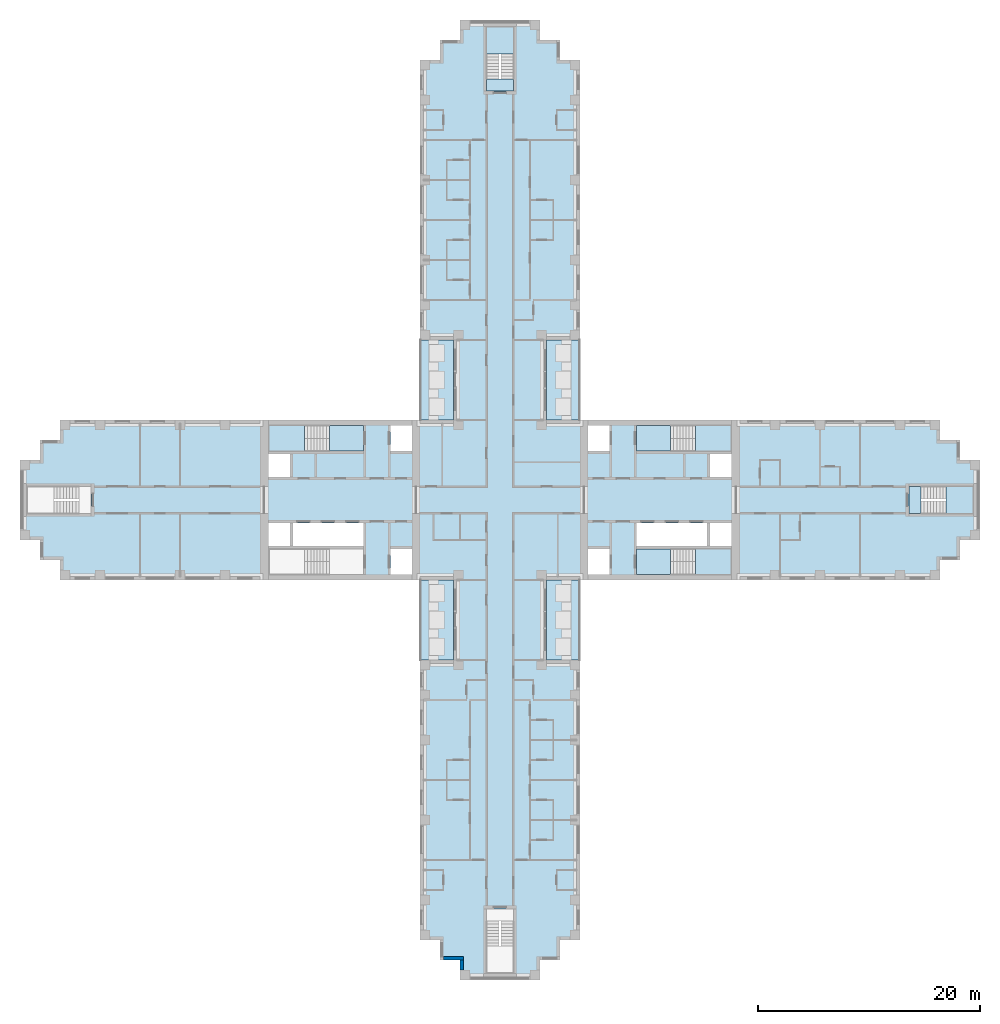
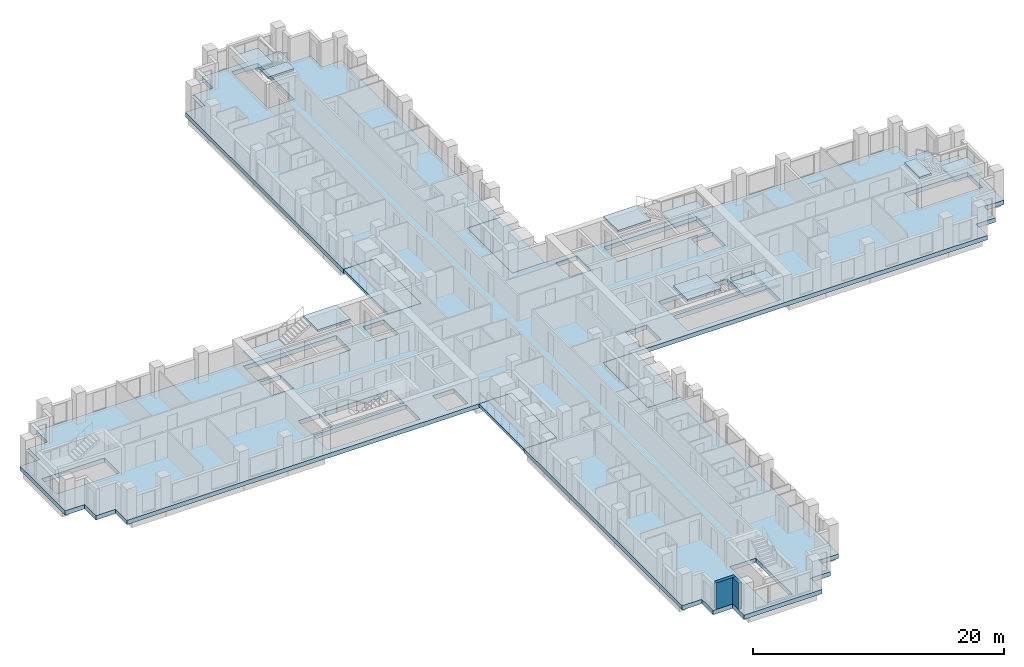
# One storey, part 2 of 15: 15 slabs, 2 walls, 5 elements without a shape of their own.
"""IFC4 building model written with IfcOpenShell, lengths in metres."""

from ifc_helpers import new_model, si_unit, direction, frame, frame_2d, origin, place, context, subcontext, project, spatial, polyline, rectangle, outline, extrude, material, layer, layer_set, type_object, element, aggregate, save


model = new_model("IFC4")

# Units and contexts
model_context = context("Model", 3, precision=1e-05, world=origin(), true_north=direction((0.0, 1.0)))
body_context = subcontext(model_context, "Body", "Model", "MODEL_VIEW")
ifc_project = project(units=[si_unit("LENGTHUNIT", "METRE"), si_unit("AREAUNIT", "SQUARE_METRE"), si_unit("VOLUMEUNIT", "CUBIC_METRE"), si_unit("PLANEANGLEUNIT", "RADIAN"), si_unit("MASSUNIT", "GRAM", prefix="KILO")], contexts=[model_context])

# Site, building, storey
site_placement = place(None, origin())
site = spatial("IfcSite", under=ifc_project, at=site_placement, CompositionType="ELEMENT")
building_placement = place(site_placement, origin())
building = spatial("IfcBuilding", under=site, at=building_placement, Name="Fustian Cross Tower", CompositionType="ELEMENT")
storey_placement = place(building_placement, frame((0.0, 0.0, 29.699951171875)))
storey = spatial("IfcBuildingStorey", under=building, at=storey_placement, Name="L08", CompositionType="ELEMENT", Elevation=29.699951171875)

# Slabs
ifc_material_1 = material(Name="Concrete C40/50", Category="concrete")
ifc_layer_1 = layer(ifc_material_1, 0.300048828125)
ifc_layer_set_1 = layer_set([ifc_layer_1], Name="Concrete C40/50")
slab_type_1 = type_object("IfcSlabType", Name="BS1 BALCONY SLAB 300", PredefinedType="FLOOR", material=ifc_layer_set_1)
slab_1_placement = place(storey_placement, frame((0.0, 0.0, -0.300048828125)))
element("IfcSlab", 1, at=slab_1_placement, inside=storey, type_object=slab_type_1, Name="Balcony slab", PredefinedType="FLOOR", context=body_context, shape_type="SweptSolid", body=[
    extrude(outline(polyline([(4.199951171875, 7.199951171875), (7.199951171875, 7.199951171875), (7.199951171875, 14.39990234375), (4.199951171875, 14.39990234375), (4.199951171875, 7.199951171875)])), origin(), (0.0, 0.0, 1.0), 0.300048828125),
])
slab_2_placement = place(storey_placement, frame((0.0, 0.0, -0.300048828125)))
element("IfcSlab", 2, at=slab_2_placement, inside=storey, type_object=slab_type_1, Name="Balcony slab", PredefinedType="FLOOR", context=body_context, shape_type="SweptSolid", body=[
    extrude(outline(polyline([(-7.199951171875, 7.199951171875), (-4.199951171875, 7.199951171875), (-4.199951171875, 14.39990234375), (-7.199951171875, 14.39990234375), (-7.199951171875, 7.199951171875)])), origin(), (0.0, 0.0, 1.0), 0.300048828125),
])
slab_3_placement = place(storey_placement, frame((0.0, 0.0, -0.300048828125)))
element("IfcSlab", 3, at=slab_3_placement, inside=storey, type_object=slab_type_1, Name="Balcony slab", PredefinedType="FLOOR", context=body_context, shape_type="SweptSolid", body=[
    extrude(outline(polyline([(4.199951171875, -14.39990234375), (7.199951171875, -14.39990234375), (7.199951171875, -7.199951171875), (4.199951171875, -7.199951171875), (4.199951171875, -14.39990234375)])), origin(), (0.0, 0.0, 1.0), 0.300048828125),
])
slab_4_placement = place(storey_placement, frame((0.0, 0.0, -0.300048828125)))
element("IfcSlab", 4, at=slab_4_placement, inside=storey, type_object=slab_type_1, Name="Balcony slab", PredefinedType="FLOOR", context=body_context, shape_type="SweptSolid", body=[
    extrude(outline(polyline([(-7.199951171875, -14.39990234375), (-4.199951171875, -14.39990234375), (-4.199951171875, -7.199951171875), (-7.199951171875, -7.199951171875), (-7.199951171875, -14.39990234375)])), origin(), (0.0, 0.0, 1.0), 0.300048828125),
])
ifc_material_2 = material(Name="Concrete C40/50", Category="concrete")
ifc_layer_2 = layer(ifc_material_2, 0.425048828125)
ifc_layer_set_2 = layer_set([ifc_layer_2], Name="Concrete C40/50")
slab_type_2 = type_object("IfcSlabType", Name="FLAT SLAB 425", PredefinedType="FLOOR", material=ifc_layer_set_2)
slab_5_placement = place(storey_placement, frame((0.0, 0.0, -0.425048828125)))
element("IfcSlab", 5, at=slab_5_placement, inside=storey, type_object=slab_type_2, Name="FLOOR SLAB L08-1", PredefinedType="FLOOR", context=body_context, shape_type="SweptSolid", body=[
    extrude(outline(polyline([(-4.199951171875, -7.199951171875), (-39.60009765625, -7.199951171875), (-39.60009765625, -5.39990234375), (-41.39990234375, -5.39990234375), (-41.39990234375, -3.60009765625), (-43.199951171875, -3.60009765625), (-43.199951171875, 3.60009765625), (-41.39990234375, 3.60009765625), (-41.39990234375, 5.39990234375), (-39.60009765625, 5.39990234375), (-39.60009765625, 7.199951171875), (-4.199951171875, 7.199951171875), (-4.199951171875, 14.39990234375), (-7.199951171875, 14.39990234375), (-7.199951171875, 39.60009765625), (-5.39990234375, 39.60009765625), (-5.39990234375, 41.39990234375), (-3.60009765625, 41.39990234375), (-3.60009765625, 43.199951171875), (3.60009765625, 43.199951171875), (3.60009765625, 41.39990234375), (5.39990234375, 41.39990234375), (5.39990234375, 39.60009765625), (7.199951171875, 39.60009765625), (7.199951171875, 14.39990234375), (4.199951171875, 14.39990234375), (4.199951171875, 7.199951171875), (39.60009765625, 7.199951171875), (39.60009765625, 5.39990234375), (41.39990234375, 5.39990234375), (41.39990234375, 3.60009765625), (43.199951171875, 3.60009765625), (43.199951171875, -3.60009765625), (41.39990234375, -3.60009765625), (41.39990234375, -5.39990234375), (39.60009765625, -5.39990234375), (39.60009765625, -7.199951171875), (4.199951171875, -7.199951171875), (4.199951171875, -14.39990234375), (7.199951171875, -14.39990234375), (7.199951171875, -39.60009765625), (5.39990234375, -39.60009765625), (5.39990234375, -41.39990234375), (3.60009765625, -41.39990234375), (3.60009765625, -43.199951171875), (-3.60009765625, -43.199951171875), (-3.60009765625, -41.39990234375), (-5.39990234375, -41.39990234375), (-5.39990234375, -39.60009765625), (-7.199951171875, -39.60009765625), (-7.199951171875, -14.39990234375), (-4.199951171875, -14.39990234375), (-4.199951171875, -7.199951171875)]), holes=[polyline([(18.89990234375, -2.050048828125), (18.89990234375, -4.14990234375), (20.85009765625, -4.14990234375), (20.85009765625, -2.050048828125), (18.89990234375, -2.050048828125)]), polyline([(20.85009765625, 4.14990234375), (18.89990234375, 4.14990234375), (18.89990234375, 2.050048828125), (20.85009765625, 2.050048828125), (20.85009765625, 4.14990234375)]), polyline([(9.85009765625, 4.39990234375), (9.85009765625, 6.699951171875), (7.89990234375, 6.699951171875), (7.89990234375, 4.39990234375), (9.85009765625, 4.39990234375)]), polyline([(7.89990234375, -6.699951171875), (9.85009765625, -6.699951171875), (9.85009765625, -4.39990234375), (7.89990234375, -4.39990234375), (7.89990234375, -6.699951171875)]), polyline([(-20.85009765625, -2.050048828125), (-20.85009765625, -4.14990234375), (-18.89990234375, -4.14990234375), (-18.89990234375, -2.050048828125), (-20.85009765625, -2.050048828125)]), polyline([(-18.89990234375, 4.14990234375), (-20.85009765625, 4.14990234375), (-20.85009765625, 2.050048828125), (-18.89990234375, 2.050048828125), (-18.89990234375, 4.14990234375)]), polyline([(-7.89990234375, 4.39990234375), (-7.89990234375, 6.699951171875), (-9.85009765625, 6.699951171875), (-9.85009765625, 4.39990234375), (-7.89990234375, 4.39990234375)]), polyline([(-9.85009765625, -6.699951171875), (-7.89990234375, -6.699951171875), (-7.89990234375, -4.39990234375), (-9.85009765625, -4.39990234375), (-9.85009765625, -6.699951171875)]), polyline([(12.300048828125, -2.050048828125), (12.300048828125, -4.14990234375), (18.64990234375, -4.14990234375), (18.64990234375, -2.050048828125), (12.300048828125, -2.050048828125)]), polyline([(-12.300048828125, -2.050048828125), (-18.64990234375, -2.050048828125), (-18.64990234375, -4.14990234375), (-12.300048828125, -4.14990234375), (-12.300048828125, -2.050048828125)]), polyline([(20.85009765625, 4.39990234375), (20.85009765625, 6.699951171875), (12.300048828125, 6.699951171875), (12.300048828125, 4.39990234375), (20.85009765625, 4.39990234375)]), polyline([(12.300048828125, -6.699951171875), (20.85009765625, -6.699951171875), (20.85009765625, -4.39990234375), (12.300048828125, -4.39990234375), (12.300048828125, -6.699951171875)]), polyline([(-20.85009765625, 6.699951171875), (-20.85009765625, 4.39990234375), (-12.300048828125, 4.39990234375), (-12.300048828125, 6.699951171875), (-20.85009765625, 6.699951171875)]), polyline([(-12.300048828125, -4.39990234375), (-20.85009765625, -4.39990234375), (-20.85009765625, -6.699951171875), (-12.300048828125, -6.699951171875), (-12.300048828125, -4.39990234375)]), polyline([(1.199951171875, 36.800048828125), (1.199951171875, 42.60009765625), (-1.199951171875, 42.60009765625), (-1.199951171875, 36.800048828125), (1.199951171875, 36.800048828125)]), polyline([(-1.199951171875, -42.60009765625), (1.199951171875, -42.60009765625), (1.199951171875, -36.800048828125), (-1.199951171875, -36.800048828125), (-1.199951171875, -42.60009765625)]), polyline([(36.800048828125, 1.199951171875), (36.800048828125, -1.199951171875), (42.60009765625, -1.199951171875), (42.60009765625, 1.199951171875), (36.800048828125, 1.199951171875)]), polyline([(-36.800048828125, 1.199951171875), (-42.60009765625, 1.199951171875), (-42.60009765625, -1.199951171875), (-36.800048828125, -1.199951171875), (-36.800048828125, 1.199951171875)])]), origin(), (0.0, 0.0, 1.0), 0.425048828125),
])

# Stair, slabs
ifc_material_3 = material(Name="Concrete C50/60", Category="concrete")
stair_type_1 = type_object("IfcStairType", Name="STAIR 1150 HALF TURN", PredefinedType="HALF_TURN_STAIR", material=ifc_material_3)
stair_1_placement = place(storey_placement, origin())
stair_1 = element("IfcStair", 6, at=stair_1_placement, inside=storey, type_object=stair_type_1, Name="Stair ST1", PredefinedType="HALF_TURN_STAIR")
ifc_material_4 = material(Name="Concrete C50/60", Category="concrete")
ifc_layer_3 = layer(ifc_material_4, 0.199951171875)
ifc_layer_set_3 = layer_set([ifc_layer_3], Name="Concrete C50/60")
slab_type_3 = type_object("IfcSlabType", Name="STAIR LANDING", PredefinedType="LANDING", material=ifc_layer_set_3)
slab_6_placement = place(storey_placement, frame((0.0, 0.0, 1.300048828125)))
slab_6 = element("IfcSlab", 7, at=slab_6_placement, type_object=slab_type_3, Name="ST1 landing 1", PredefinedType="LANDING", context=body_context, shape_type="SweptSolid", body=[
    extrude(outline(polyline([(17.590087890625, 4.39990234375), (20.85009765625, 4.39990234375), (20.85009765625, 6.699951171875), (17.590087890625, 6.699951171875), (17.590087890625, 4.39990234375)])), origin(), (0.0, 0.0, 1.0), 0.199951171875),
])
slab_7_placement = place(storey_placement, frame((0.0, 0.0, 2.800048828125)))
slab_7 = element("IfcSlab", 8, at=slab_7_placement, type_object=slab_type_3, Name="ST1 landing 2", PredefinedType="LANDING", context=body_context, shape_type="SweptSolid", body=[
    extrude(outline(polyline([(12.300048828125, 4.39990234375), (15.35009765625, 4.39990234375), (15.35009765625, 6.699951171875), (12.300048828125, 6.699951171875), (12.300048828125, 4.39990234375)])), origin(), (0.0, 0.0, 1.0), 0.199951171875),
])
aggregate(stair_1, [slab_6, slab_7])

stair_2_placement = place(storey_placement, origin())
stair_2 = element("IfcStair", 9, at=stair_2_placement, inside=storey, type_object=stair_type_1, Name="Stair ST2", PredefinedType="HALF_TURN_STAIR")
slab_8_placement = place(storey_placement, frame((0.0, 0.0, 1.300048828125)))
slab_8 = element("IfcSlab", 10, at=slab_8_placement, type_object=slab_type_3, Name="ST2 landing 1", PredefinedType="LANDING", context=body_context, shape_type="SweptSolid", body=[
    extrude(outline(polyline([(17.590087890625, -4.39990234375), (20.85009765625, -4.39990234375), (20.85009765625, -6.699951171875), (17.590087890625, -6.699951171875), (17.590087890625, -4.39990234375)])), origin(), (0.0, 0.0, 1.0), 0.199951171875),
])
slab_9_placement = place(storey_placement, frame((0.0, 0.0, 2.800048828125)))
slab_9 = element("IfcSlab", 11, at=slab_9_placement, type_object=slab_type_3, Name="ST2 landing 2", PredefinedType="LANDING", context=body_context, shape_type="SweptSolid", body=[
    extrude(outline(polyline([(12.300048828125, -4.39990234375), (15.35009765625, -4.39990234375), (15.35009765625, -6.699951171875), (12.300048828125, -6.699951171875), (12.300048828125, -4.39990234375)])), origin(), (0.0, 0.0, 1.0), 0.199951171875),
])
aggregate(stair_2, [slab_8, slab_9])

stair_3_placement = place(storey_placement, origin())
stair_3 = element("IfcStair", 12, at=stair_3_placement, inside=storey, type_object=stair_type_1, Name="Stair ST3", PredefinedType="HALF_TURN_STAIR")
slab_10_placement = place(storey_placement, frame((0.0, 0.0, 1.300048828125)))
slab_10 = element("IfcSlab", 13, at=slab_10_placement, type_object=slab_type_3, Name="ST3 landing 1", PredefinedType="LANDING", context=body_context, shape_type="SweptSolid", body=[
    extrude(outline(polyline([(-17.590087890625, 4.39990234375), (-20.85009765625, 4.39990234375), (-20.85009765625, 6.699951171875), (-17.590087890625, 6.699951171875), (-17.590087890625, 4.39990234375)])), origin(), (0.0, 0.0, 1.0), 0.199951171875),
])
slab_11_placement = place(storey_placement, frame((0.0, 0.0, 2.800048828125)))
slab_11 = element("IfcSlab", 14, at=slab_11_placement, type_object=slab_type_3, Name="ST3 landing 2", PredefinedType="LANDING", context=body_context, shape_type="SweptSolid", body=[
    extrude(outline(polyline([(-12.300048828125, 4.39990234375), (-15.35009765625, 4.39990234375), (-15.35009765625, 6.699951171875), (-12.300048828125, 6.699951171875), (-12.300048828125, 4.39990234375)])), origin(), (0.0, 0.0, 1.0), 0.199951171875),
])
aggregate(stair_3, [slab_10, slab_11])

ifc_material_5 = material(Name="Concrete C50/60", Category="concrete")
stair_type_2 = type_object("IfcStairType", Name="STAIR 1100 HALF TURN", PredefinedType="HALF_TURN_STAIR", material=ifc_material_5)
stair_4_placement = place(storey_placement, origin())
stair_4 = element("IfcStair", 15, at=stair_4_placement, inside=storey, type_object=stair_type_2, Name="Stair ST5", PredefinedType="HALF_TURN_STAIR")
slab_12_placement = place(storey_placement, frame((0.0, 0.0, 1.300048828125)))
slab_12 = element("IfcSlab", 16, at=slab_12_placement, type_object=slab_type_3, Name="ST5 landing 1", PredefinedType="LANDING", context=body_context, shape_type="SweptSolid", body=[
    extrude(outline(polyline([(-1.199951171875, 40.139892578125), (-1.199951171875, 42.60009765625), (1.199951171875, 42.60009765625), (1.199951171875, 40.139892578125), (-1.199951171875, 40.139892578125)])), origin(), (0.0, 0.0, 1.0), 0.199951171875),
])
slab_13_placement = place(storey_placement, frame((0.0, 0.0, 2.800048828125)))
slab_13 = element("IfcSlab", 17, at=slab_13_placement, type_object=slab_type_3, Name="ST5 landing 2", PredefinedType="LANDING", context=body_context, shape_type="SweptSolid", body=[
    extrude(outline(polyline([(-1.199951171875, 36.800048828125), (-1.199951171875, 37.89990234375), (1.199951171875, 37.89990234375), (1.199951171875, 36.800048828125), (-1.199951171875, 36.800048828125)])), origin(), (0.0, 0.0, 1.0), 0.199951171875),
])
aggregate(stair_4, [slab_12, slab_13])

stair_5_placement = place(storey_placement, origin())
stair_5 = element("IfcStair", 18, at=stair_5_placement, inside=storey, type_object=stair_type_2, Name="Stair ST8", PredefinedType="HALF_TURN_STAIR")
slab_14_placement = place(storey_placement, frame((0.0, 0.0, 1.300048828125)))
slab_14 = element("IfcSlab", 19, at=slab_14_placement, type_object=slab_type_3, Name="ST8 landing 1", PredefinedType="LANDING", context=body_context, shape_type="SweptSolid", body=[
    extrude(outline(polyline([(40.139892578125, -1.199951171875), (42.60009765625, -1.199951171875), (42.60009765625, 1.199951171875), (40.139892578125, 1.199951171875), (40.139892578125, -1.199951171875)])), origin(), (0.0, 0.0, 1.0), 0.199951171875),
])
slab_15_placement = place(storey_placement, frame((0.0, 0.0, 2.800048828125)))
slab_15 = element("IfcSlab", 20, at=slab_15_placement, type_object=slab_type_3, Name="ST8 landing 2", PredefinedType="LANDING", context=body_context, shape_type="SweptSolid", body=[
    extrude(outline(polyline([(36.800048828125, -1.199951171875), (37.89990234375, -1.199951171875), (37.89990234375, 1.199951171875), (36.800048828125, 1.199951171875), (36.800048828125, -1.199951171875)])), origin(), (0.0, 0.0, 1.0), 0.199951171875),
])
aggregate(stair_5, [slab_14, slab_15])

# Walls
ifc_material_6 = material(Name="Dark aluminium cladding on insulated backing wall", Category="aluminium")
ifc_layer_4 = layer(ifc_material_6, 0.300048828125)
ifc_layer_set_4 = layer_set([ifc_layer_4], Name="Dark aluminium cladding on insulated backing wall")
wall_type = type_object("IfcWallType", Name="XW1 EXTERNAL WALL 300", PredefinedType="SOLIDWALL", material=ifc_layer_set_4)
wall_1_placement = place(storey_placement, frame((-5.10009765625, -41.25, 0.0), z_axis=(0.0, 0.0, 1.0), x_axis=(1.0, 0.0, 0.0)))
element("IfcWall", 21, at=wall_1_placement, inside=storey, type_object=wall_type, Name="External wall", PredefinedType="SOLIDWALL", context=body_context, shape_type="SweptSolid", body=[
    extrude(rectangle(XDim=1.800048828125, YDim=0.300048828125, at=frame_2d((0.89990234375, 0.0))), origin(), (0.0, 0.0, 1.0), 2.574951171875),
])
wall_2_placement = place(storey_placement, frame((-3.449951171875, -41.39990234375, 0.0), z_axis=(0.0, 0.0, 1.0), x_axis=(0.0, -1.0, 0.0)))
element("IfcWall", 22, at=wall_2_placement, inside=storey, type_object=wall_type, Name="External wall", PredefinedType="SOLIDWALL", context=body_context, shape_type="SweptSolid", body=[
    extrude(rectangle(XDim=0.900146484375, YDim=0.300048828125, at=frame_2d((0.4501953125, 0.0))), origin(), (0.0, 0.0, 1.0), 2.574951171875),
])

save(model, "model.ifc")
